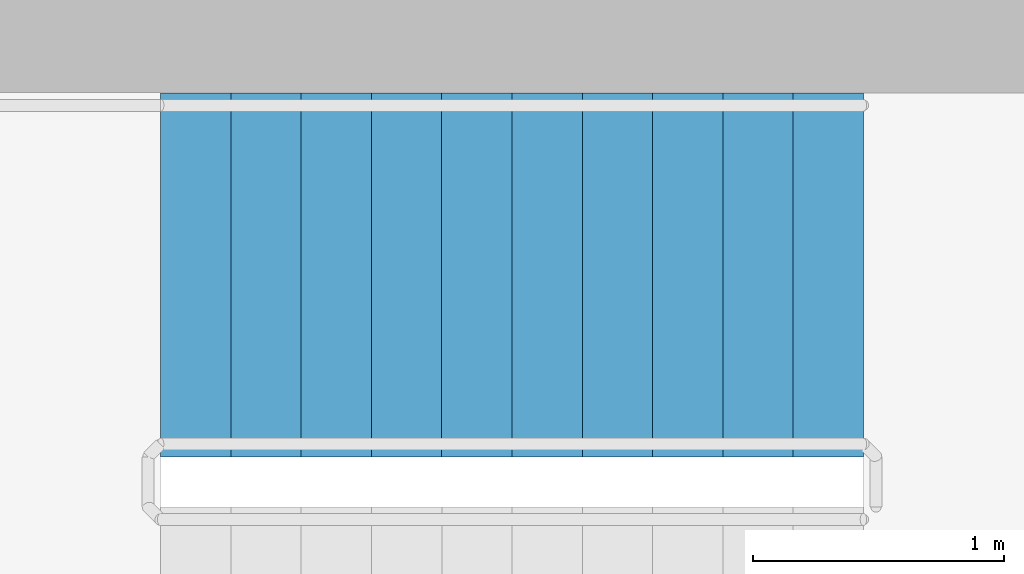
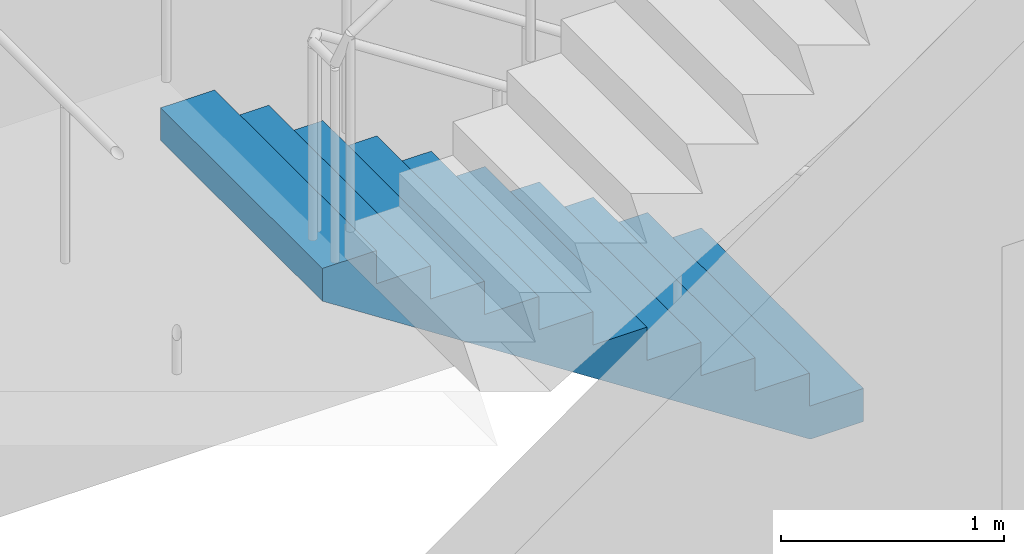
# One storey, part 10 of 12: 1 stair flight, 1 element without a shape of its own.
"""IFC4 building model written with IfcOpenShell, lengths in metres."""

from ifc_helpers import new_model, si_unit, direction, frame, origin, place, context, subcontext, project, spatial, polyline, outline, extrude, material, type_object, element, aggregate, save


model = new_model("IFC4")

# Units and contexts
model_context = context("Model", 3, precision=1e-05, world=origin(), true_north=direction((0.0, 1.0)))
body_context = subcontext(model_context, "Body", "Model", "MODEL_VIEW")
ifc_project = project(units=[si_unit("LENGTHUNIT", "METRE"), si_unit("AREAUNIT", "SQUARE_METRE"), si_unit("VOLUMEUNIT", "CUBIC_METRE"), si_unit("PLANEANGLEUNIT", "RADIAN"), si_unit("MASSUNIT", "GRAM", prefix="KILO")], contexts=[model_context])

# Site, building, storey
site_placement = place(None, origin())
site = spatial("IfcSite", under=ifc_project, at=site_placement, CompositionType="ELEMENT")
building_placement = place(site_placement, origin())
building = spatial("IfcBuilding", under=site, at=building_placement, Name="Verdant Reach Tower", CompositionType="ELEMENT")
storey_placement = place(building_placement, frame((0.0, 0.0, 242.0)))
storey = spatial("IfcBuildingStorey", under=building, at=storey_placement, Name="L55", CompositionType="ELEMENT", Elevation=242.0)

# Stair, stair flight
ifc_material = material(Name="Concrete C40/50", Category="concrete")
stair_type = type_object("IfcStairType", Name="CO-STAIR", PredefinedType="HALF_TURN_STAIR", material=ifc_material)
stair_placement = place(storey_placement, origin())
stair = element("IfcStair", 1, at=stair_placement, inside=storey, type_object=stair_type, Name="L55 Exit stair 3", PredefinedType="HALF_TURN_STAIR")
stair_flight_type = type_object("IfcStairFlightType", Name="CO-STAIR-FLIGHT", PredefinedType="STRAIGHT", material=ifc_material)
stair_flight_placement = place(storey_placement, frame((11.14990234375, 36.875, 0.0), z_axis=(0.0, 0.0, 1.0), x_axis=(-1.0, 0.0, 0.0)))
stair_flight = element("IfcStairFlight", 2, at=stair_flight_placement, type_object=stair_flight_type, Name="ST-3 flight 1", NumberOfRisers=11, NumberOfTreads=10, PredefinedType="STRAIGHT", RiserHeight=0.181818182, TreadLength=0.28, context=body_context, shape_type="SweptSolid", body=[
    extrude(outline(polyline([(0.0, 0.0), (0.0, 0.181884765625), (0.280029296875, 0.181884765625), (0.280029296875, 0.363525390625), (0.56005859375, 0.363525390625), (0.56005859375, 0.54541015625), (0.840087890625, 0.54541015625), (0.840087890625, 0.727294921875), (1.1201171875, 0.727294921875), (1.1201171875, 0.9091796875), (1.39990234375, 0.9091796875), (1.39990234375, 1.0908203125), (1.679931640625, 1.0908203125), (1.679931640625, 1.272705078125), (1.9599609375, 1.272705078125), (1.9599609375, 1.45458984375), (2.239990234375, 1.45458984375), (2.239990234375, 1.636474609375), (2.52001953125, 1.636474609375), (2.52001953125, 1.818115234375), (2.800048828125, 1.818115234375), (2.800048828125, 2.0), (2.800048828125, 1.639404296875), (0.275146484375, 0.0), (0.0, 0.0)])), frame((0.0, 0.72509765625, 0.0), z_axis=(0.0, -1.0, 0.0), x_axis=(1.0, 0.0, 0.0)), (0.0, 0.0, 1.0), 1.449951171875),
])
aggregate(stair, [stair_flight])

save(model, "model.ifc")
